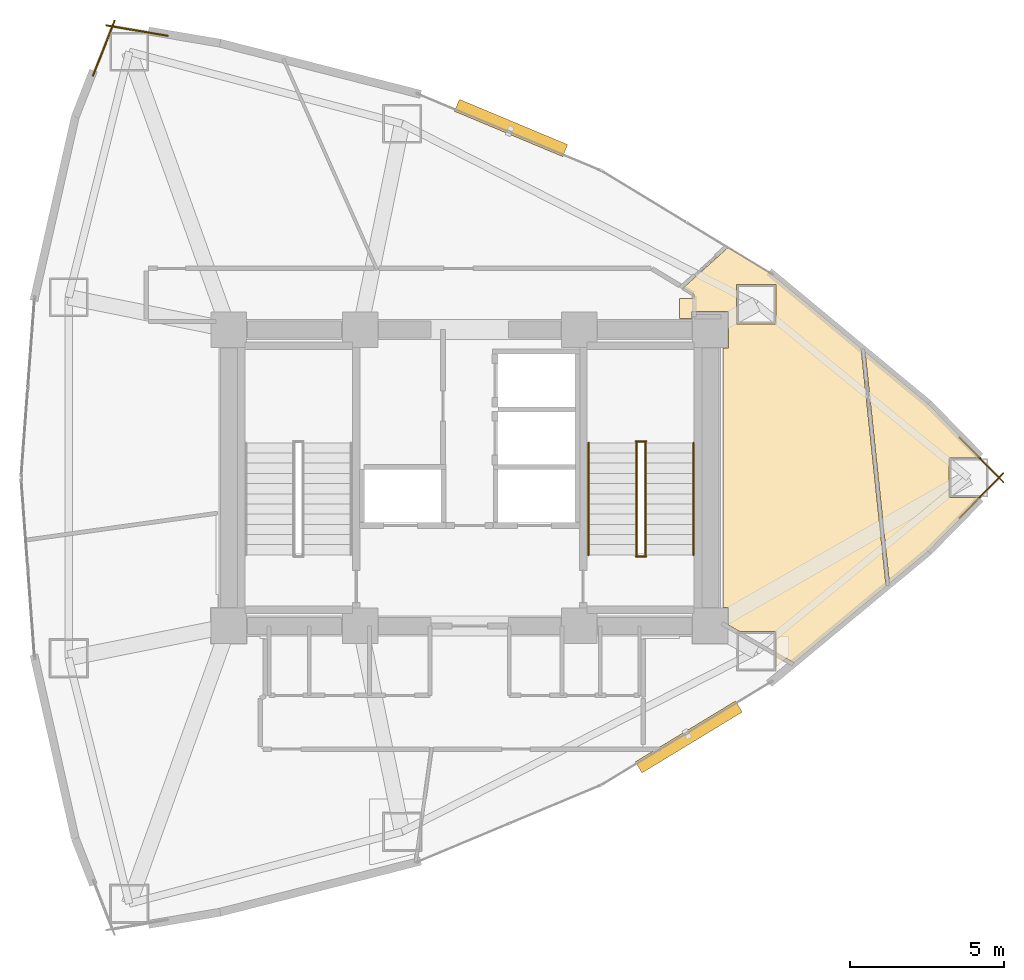
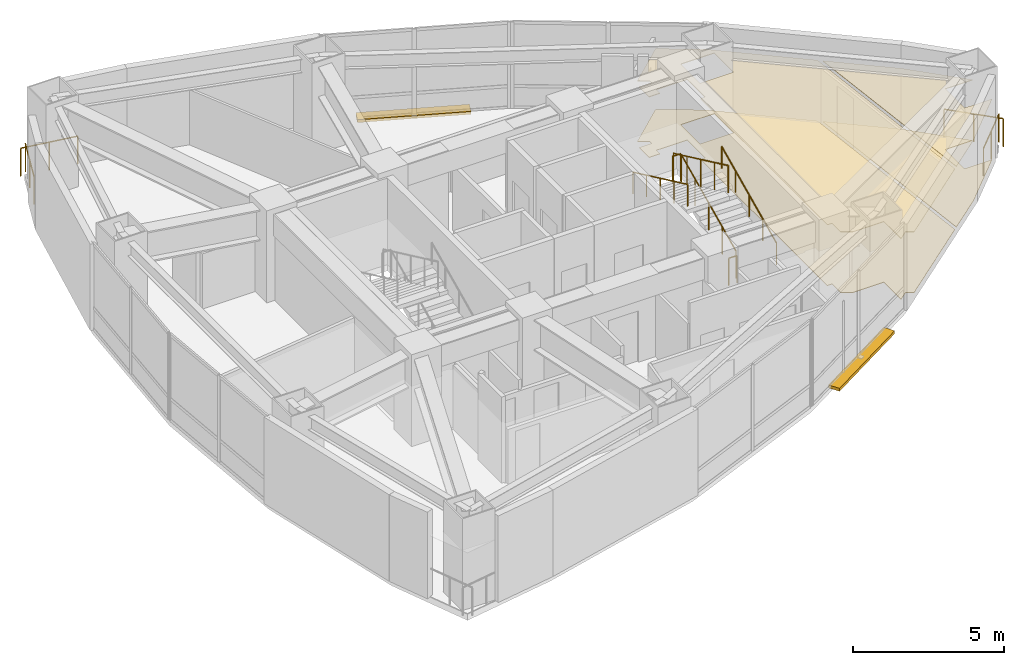
# One storey, part 17 of 17: 10 railings, 4 coverings, 2 shading devices.
"""IFC4 building model written with IfcOpenShell, lengths in metres."""

from ifc_helpers import new_model, si_unit, direction, frame, origin, origin_2d, place, context, subcontext, project, spatial, polyline, rectangle, circle, outline, extrude, material, layer, layer_set, type_object, element, save


model = new_model("IFC4")

# Units and contexts
model_context = context("Model", 3, precision=1e-05, world=origin(), true_north=direction((0.0, 1.0)))
body_context = subcontext(model_context, "Body", "Model", "MODEL_VIEW")
ifc_project = project(units=[si_unit("LENGTHUNIT", "METRE"), si_unit("AREAUNIT", "SQUARE_METRE"), si_unit("VOLUMEUNIT", "CUBIC_METRE"), si_unit("PLANEANGLEUNIT", "RADIAN"), si_unit("MASSUNIT", "GRAM", prefix="KILO")], contexts=[model_context])

# Site, building, storey
site_placement = place(None, origin())
site = spatial("IfcSite", under=ifc_project, at=site_placement, CompositionType="ELEMENT")
building_placement = place(site_placement, origin())
building = spatial("IfcBuilding", under=site, at=building_placement, Name="Menara Vayukalpa", CompositionType="ELEMENT")
storey_placement = place(building_placement, frame((0.0, 0.0, 133.739990234375)))
storey = spatial("IfcBuildingStorey", under=building, at=storey_placement, Name="L33", CompositionType="ELEMENT", Elevation=133.739990234375)

# Coverings
ifc_material_1 = material(Name="Mineral Fibre Acoustic Ceiling Tile", Category="masonry")
ifc_layer_1 = layer(ifc_material_1, 0.02490234375)
ifc_layer_set_1 = layer_set([ifc_layer_1], Name="Mineral Fibre Acoustic Ceiling Tile")
covering_type_1 = type_object("IfcCoveringType", Name="COV-CLG1", PredefinedType="CEILING", material=ifc_layer_set_1)
covering_1_placement = place(storey_placement, frame((0.0, 0.0, 2.449951171875)))
element("IfcCovering", 1, at=covering_1_placement, inside=storey, type_object=covering_type_1, Name="L33 Operations Support Office Acoustic Ceiling", PredefinedType="CEILING", context=body_context, shape_type="SweptSolid", body=[
    extrude(outline(polyline([(42.169677734375, 22.639892578125), (41.121826171875, 22.639892578125), (41.121826171875, 21.360107421875), (42.169677734375, 21.360107421875), (40.461181640625, 19.6201171875), (40.46044921875, 19.619384765625), (39.213134765625, 18.5849609375), (39.21240234375, 18.584228515625), (39.211669921875, 18.583740234375), (39.210693359375, 18.58349609375), (39.209716796875, 18.5830078125), (39.208740234375, 18.582763671875), (39.207763671875, 18.582763671875), (39.206787109375, 18.58251953125), (39.205810546875, 18.58251953125), (39.204833984375, 18.582763671875), (39.2041015625, 18.5830078125), (39.202880859375, 18.583251953125), (39.2021484375, 18.583740234375), (39.201416015625, 18.584228515625), (39.200439453125, 18.584716796875), (39.19970703125, 18.58544921875), (39.19921875, 18.586181640625), (39.198486328125, 18.5869140625), (39.197998046875, 18.587890625), (39.197509765625, 18.588623046875), (39.197265625, 18.589599609375), (39.197021484375, 18.590576171875), (39.197021484375, 18.591552734375), (38.412109375, 26.05712890625), (38.412109375, 26.05810546875), (38.412109375, 26.05908203125), (38.412353515625, 26.06005859375), (38.41259765625, 26.06103515625), (38.412841796875, 26.06201171875), (38.413330078125, 26.062744140625), (38.413818359375, 26.063720703125), (38.414306640625, 26.064453125), (38.4150390625, 26.065185546875), (38.415771484375, 26.06591796875), (38.41650390625, 26.06640625), (38.41748046875, 26.06689453125), (38.418212890625, 26.0673828125), (38.419189453125, 26.067626953125), (38.420166015625, 26.06787109375), (38.421142578125, 26.068115234375), (38.422119140625, 26.068115234375), (38.423095703125, 26.068115234375), (38.424072265625, 26.06787109375), (38.425048828125, 26.067626953125), (38.426025390625, 26.0673828125), (38.427001953125, 26.06689453125), (38.427734375, 26.06640625), (38.428466796875, 26.06591796875), (40.46044921875, 24.380615234375), (40.461181640625, 24.3798828125), (42.169677734375, 22.639892578125)])), origin(), (0.0, 0.0, 1.0), 0.025146484375),
])
covering_2_placement = place(storey_placement, frame((0.0, 0.0, 2.449951171875)))
element("IfcCovering", 2, at=covering_2_placement, inside=storey, type_object=covering_type_1, Name="L33 Corporate Training Classroom Acoustic Ceiling", PredefinedType="CEILING", context=body_context, shape_type="SweptSolid", body=[
    extrude(outline(polyline([(33.989990234375, 17.225341796875), (33.989990234375, 17.7900390625), (33.81005859375, 17.7900390625), (33.81005859375, 26.2099609375), (33.989990234375, 26.2099609375), (33.989990234375, 27.389892578125), (32.81005859375, 27.389892578125), (32.81005859375, 27.14990234375), (32.389892578125, 27.14990234375), (32.389892578125, 27.81005859375), (32.8701171875, 27.81005859375), (32.8701171875, 27.89111328125), (32.86962890625, 27.8984375), (32.868408203125, 27.905517578125), (32.86669921875, 27.912353515625), (32.8642578125, 27.919189453125), (32.861083984375, 27.925537109375), (32.857177734375, 27.931640625), (32.852783203125, 27.937255859375), (32.847900390625, 27.9423828125), (32.84228515625, 27.947021484375), (32.836181640625, 27.951171875), (32.52685546875, 28.138916015625), (32.526123046875, 28.139404296875), (32.525390625, 28.14013671875), (32.524658203125, 28.140869140625), (32.52392578125, 28.1416015625), (32.5234375, 28.142333984375), (32.52294921875, 28.143310546875), (32.522705078125, 28.144287109375), (32.5224609375, 28.14501953125), (32.522216796875, 28.14599609375), (32.522216796875, 28.147216796875), (32.522216796875, 28.14794921875), (32.522216796875, 28.14892578125), (32.5224609375, 28.14990234375), (32.522705078125, 28.15087890625), (32.523193359375, 28.15185546875), (32.5234375, 28.152587890625), (32.524169921875, 28.153564453125), (32.524658203125, 28.154296875), (32.525390625, 28.15478515625), (33.9609375, 29.447509765625), (33.9619140625, 29.4482421875), (33.962646484375, 29.44873046875), (33.96337890625, 29.44921875), (33.96435546875, 29.449462890625), (33.96533203125, 29.44970703125), (33.96630859375, 29.449951171875), (33.96728515625, 29.4501953125), (33.96826171875, 29.4501953125), (33.96923828125, 29.449951171875), (33.97021484375, 29.44970703125), (33.97119140625, 29.449462890625), (33.971923828125, 29.44921875), (33.972900390625, 29.448486328125), (35.379638671875, 28.593994140625), (35.380859375, 28.59326171875), (38.279296875, 26.189697265625), (38.27978515625, 26.18896484375), (38.280517578125, 26.18798828125), (38.28125, 26.187255859375), (38.28173828125, 26.186279296875), (38.281982421875, 26.185546875), (38.282470703125, 26.1845703125), (38.28271484375, 26.18359375), (38.28271484375, 26.1826171875), (38.28271484375, 26.181396484375), (38.28271484375, 26.180419921875), (38.282470703125, 26.179443359375), (38.281494140625, 26.176025390625), (38.28076171875, 26.170166015625), (38.280517578125, 26.164306640625), (38.281005859375, 26.158203125), (39.086181640625, 18.4970703125), (39.0869140625, 18.490966796875), (39.087646484375, 18.48828125), (39.087890625, 18.487548828125), (39.087890625, 18.486572265625), (39.087890625, 18.485595703125), (39.087890625, 18.484619140625), (39.087890625, 18.483642578125), (39.08740234375, 18.48291015625), (39.087158203125, 18.48193359375), (39.0869140625, 18.481201171875), (39.086181640625, 18.480224609375), (39.085693359375, 18.4794921875), (39.085205078125, 18.478759765625), (39.08447265625, 18.478271484375), (36.108154296875, 16.010009765625), (36.107421875, 16.00927734375), (36.1064453125, 16.0087890625), (36.10546875, 16.00830078125), (36.1044921875, 16.008056640625), (36.103515625, 16.0078125), (36.1025390625, 16.007568359375), (36.1015625, 16.007568359375), (36.1005859375, 16.0078125), (36.099609375, 16.0078125), (36.098388671875, 16.008056640625), (36.09765625, 16.008544921875), (36.0966796875, 16.0087890625), (35.853515625, 16.1494140625), (35.52685546875, 15.878662109375), (35.52685546875, 17.018310546875), (34.348388671875, 17.018310546875), (33.989990234375, 17.225341796875)]), holes=[polyline([(35.52685546875, 26.981689453125), (35.52685546875, 28.26171875), (34.246826171875, 28.26171875), (34.246826171875, 26.981689453125), (35.52685546875, 26.981689453125)])]), origin(), (0.0, 0.0, 1.0), 0.025146484375),
])
ifc_material_2 = material(Name="Porcelain Stoneware Floor Tile", Category="masonry")
ifc_layer_2 = layer(ifc_material_2, 0.02001953125)
ifc_layer_set_2 = layer_set([ifc_layer_2], Name="Porcelain Stoneware Floor Tile")
covering_type_2 = type_object("IfcCoveringType", Name="COV-FLR1", PredefinedType="FLOORING", material=ifc_layer_set_2)
covering_3_placement = place(storey_placement, origin())
element("IfcCovering", 3, at=covering_3_placement, inside=storey, type_object=covering_type_2, Name="L33 Operations Support Office Porcelain Flooring", PredefinedType="FLOORING", context=body_context, shape_type="SweptSolid", body=[
    extrude(outline(polyline([(42.169677734375, 22.639892578125), (41.121826171875, 22.639892578125), (41.121826171875, 21.360107421875), (42.169677734375, 21.360107421875), (40.461181640625, 19.6201171875), (40.46044921875, 19.619384765625), (39.213134765625, 18.5849609375), (39.21240234375, 18.584228515625), (39.211669921875, 18.583740234375), (39.210693359375, 18.58349609375), (39.209716796875, 18.5830078125), (39.208740234375, 18.582763671875), (39.207763671875, 18.582763671875), (39.206787109375, 18.58251953125), (39.205810546875, 18.58251953125), (39.204833984375, 18.582763671875), (39.2041015625, 18.5830078125), (39.202880859375, 18.583251953125), (39.2021484375, 18.583740234375), (39.201416015625, 18.584228515625), (39.200439453125, 18.584716796875), (39.19970703125, 18.58544921875), (39.19921875, 18.586181640625), (39.198486328125, 18.5869140625), (39.197998046875, 18.587890625), (39.197509765625, 18.588623046875), (39.197265625, 18.589599609375), (39.197021484375, 18.590576171875), (39.197021484375, 18.591552734375), (38.412109375, 26.05712890625), (38.412109375, 26.05810546875), (38.412109375, 26.05908203125), (38.412353515625, 26.06005859375), (38.41259765625, 26.06103515625), (38.412841796875, 26.06201171875), (38.413330078125, 26.062744140625), (38.413818359375, 26.063720703125), (38.414306640625, 26.064453125), (38.4150390625, 26.065185546875), (38.415771484375, 26.06591796875), (38.41650390625, 26.06640625), (38.41748046875, 26.06689453125), (38.418212890625, 26.0673828125), (38.419189453125, 26.067626953125), (38.420166015625, 26.06787109375), (38.421142578125, 26.068115234375), (38.422119140625, 26.068115234375), (38.423095703125, 26.068115234375), (38.424072265625, 26.06787109375), (38.425048828125, 26.067626953125), (38.426025390625, 26.0673828125), (38.427001953125, 26.06689453125), (38.427734375, 26.06640625), (38.428466796875, 26.06591796875), (40.46044921875, 24.380615234375), (40.461181640625, 24.3798828125), (42.169677734375, 22.639892578125)])), origin(), (0.0, 0.0, 1.0), 0.02001953125),
])
covering_4_placement = place(storey_placement, origin())
element("IfcCovering", 4, at=covering_4_placement, inside=storey, type_object=covering_type_2, Name="L33 Corporate Training Classroom Porcelain Flooring", PredefinedType="FLOORING", context=body_context, shape_type="SweptSolid", body=[
    extrude(outline(polyline([(33.989990234375, 17.225341796875), (33.989990234375, 17.7900390625), (33.81005859375, 17.7900390625), (33.81005859375, 26.2099609375), (33.989990234375, 26.2099609375), (33.989990234375, 27.389892578125), (32.81005859375, 27.389892578125), (32.81005859375, 27.14990234375), (32.389892578125, 27.14990234375), (32.389892578125, 27.81005859375), (32.8701171875, 27.81005859375), (32.8701171875, 27.89111328125), (32.86962890625, 27.8984375), (32.868408203125, 27.905517578125), (32.86669921875, 27.912353515625), (32.8642578125, 27.919189453125), (32.861083984375, 27.925537109375), (32.857177734375, 27.931640625), (32.852783203125, 27.937255859375), (32.847900390625, 27.9423828125), (32.84228515625, 27.947021484375), (32.836181640625, 27.951171875), (32.52685546875, 28.138916015625), (32.526123046875, 28.139404296875), (32.525390625, 28.14013671875), (32.524658203125, 28.140869140625), (32.52392578125, 28.1416015625), (32.5234375, 28.142333984375), (32.52294921875, 28.143310546875), (32.522705078125, 28.144287109375), (32.5224609375, 28.14501953125), (32.522216796875, 28.14599609375), (32.522216796875, 28.147216796875), (32.522216796875, 28.14794921875), (32.522216796875, 28.14892578125), (32.5224609375, 28.14990234375), (32.522705078125, 28.15087890625), (32.523193359375, 28.15185546875), (32.5234375, 28.152587890625), (32.524169921875, 28.153564453125), (32.524658203125, 28.154296875), (32.525390625, 28.15478515625), (33.9609375, 29.447509765625), (33.9619140625, 29.4482421875), (33.962646484375, 29.44873046875), (33.96337890625, 29.44921875), (33.96435546875, 29.449462890625), (33.96533203125, 29.44970703125), (33.96630859375, 29.449951171875), (33.96728515625, 29.4501953125), (33.96826171875, 29.4501953125), (33.96923828125, 29.449951171875), (33.97021484375, 29.44970703125), (33.97119140625, 29.449462890625), (33.971923828125, 29.44921875), (33.972900390625, 29.448486328125), (35.379638671875, 28.593994140625), (35.380859375, 28.59326171875), (38.279296875, 26.189697265625), (38.27978515625, 26.18896484375), (38.280517578125, 26.18798828125), (38.28125, 26.187255859375), (38.28173828125, 26.186279296875), (38.281982421875, 26.185546875), (38.282470703125, 26.1845703125), (38.28271484375, 26.18359375), (38.28271484375, 26.1826171875), (38.28271484375, 26.181396484375), (38.28271484375, 26.180419921875), (38.282470703125, 26.179443359375), (38.281494140625, 26.176025390625), (38.28076171875, 26.170166015625), (38.280517578125, 26.164306640625), (38.281005859375, 26.158203125), (39.086181640625, 18.4970703125), (39.0869140625, 18.490966796875), (39.087646484375, 18.48828125), (39.087890625, 18.487548828125), (39.087890625, 18.486572265625), (39.087890625, 18.485595703125), (39.087890625, 18.484619140625), (39.087890625, 18.483642578125), (39.08740234375, 18.48291015625), (39.087158203125, 18.48193359375), (39.0869140625, 18.481201171875), (39.086181640625, 18.480224609375), (39.085693359375, 18.4794921875), (39.085205078125, 18.478759765625), (39.08447265625, 18.478271484375), (36.108154296875, 16.010009765625), (36.107421875, 16.00927734375), (36.1064453125, 16.0087890625), (36.10546875, 16.00830078125), (36.1044921875, 16.008056640625), (36.103515625, 16.0078125), (36.1025390625, 16.007568359375), (36.1015625, 16.007568359375), (36.1005859375, 16.0078125), (36.099609375, 16.0078125), (36.098388671875, 16.008056640625), (36.09765625, 16.008544921875), (36.0966796875, 16.0087890625), (35.853515625, 16.1494140625), (35.52685546875, 15.878662109375), (35.52685546875, 17.018310546875), (34.348388671875, 17.018310546875), (33.989990234375, 17.225341796875)]), holes=[polyline([(35.52685546875, 26.981689453125), (35.52685546875, 28.26171875), (34.246826171875, 28.26171875), (34.246826171875, 26.981689453125), (35.52685546875, 26.981689453125)])]), origin(), (0.0, 0.0, 1.0), 0.02001953125),
])

# Railings
ifc_material_3 = material(Name="Laminated Glass and Stainless Steel 316 Guardrail", Category="steel")
railing_type_1 = type_object("IfcRailingType", Name="RLG-EXT115", PredefinedType="GUARDRAIL", material=ifc_material_3)
railing_1_placement = place(storey_placement, frame((41.458740234375, 20.693115234375, 0.0)))
element("IfcRailing", 5, at=railing_1_placement, inside=storey, type_object=railing_type_1, Name="L33 Column Corner Spandrel Guardrail 01-1", PredefinedType="GUARDRAIL", context=body_context, shape_type="SweptSolid", body=[
    extrude(circle(Radius=0.02392578125, at=origin_2d()), frame((0.0, 0.0, 1.1259765625), z_axis=(0.700555740742, 0.713597683652, 0.0), x_axis=(-0.713597683652, 0.700555740742, 0.0)), (0.0, 0.0, 1.0), 2.04052734375),
    extrude(circle(Radius=0.02099609375, at=origin_2d()), origin(), (0.0, 0.0, 1.0), 1.101806640625),
    extrude(circle(Radius=0.02099609375, at=origin_2d()), frame((0.71484375, 0.72802734375, 0.0)), (0.0, 0.0, 1.0), 1.101806640625),
    extrude(circle(Radius=0.02099609375, at=origin_2d()), frame((1.429443359375, 1.4560546875, 0.0)), (0.0, 0.0, 1.0), 1.101806640625),
])
railing_2_placement = place(storey_placement, frame((42.88818359375, 21.850830078125, 0.0)))
element("IfcRailing", 6, at=railing_2_placement, inside=storey, type_object=railing_type_1, Name="L33 Column Corner Spandrel Guardrail 02-1", PredefinedType="GUARDRAIL", context=body_context, shape_type="SweptSolid", body=[
    extrude(circle(Radius=0.02392578125, at=origin_2d()), frame((0.0, 0.0, 1.1259765625), z_axis=(-0.700555740742, 0.713597683652, 0.0), x_axis=(-0.713597683652, -0.700555740742, 0.0)), (0.0, 0.0, 1.0), 2.04052734375),
    extrude(circle(Radius=0.02099609375, at=origin_2d()), origin(), (0.0, 0.0, 1.0), 1.101806640625),
    extrude(circle(Radius=0.02099609375, at=origin_2d()), frame((-0.71484375, 0.72802734375, 0.0)), (0.0, 0.0, 1.0), 1.101806640625),
    extrude(circle(Radius=0.02099609375, at=origin_2d()), frame((-1.429443359375, 1.4560546875, 0.0)), (0.0, 0.0, 1.0), 1.101806640625),
])
railing_3_placement = place(storey_placement, frame((15.818359375, 36.315673828125, 0.0)))
element("IfcRailing", 7, at=railing_3_placement, inside=storey, type_object=railing_type_1, Name="L33 Column Corner Spandrel Guardrail 07-1", PredefinedType="GUARDRAIL", context=body_context, shape_type="SweptSolid", body=[
    extrude(circle(Radius=0.02392578125, at=origin_2d()), frame((0.0, 0.0, 1.1259765625), z_axis=(-0.985895977605, 0.16735925831, 0.0), x_axis=(-0.16735925831, -0.985895977605, 0.0)), (0.0, 0.0, 1.0), 2.01904296875),
    extrude(circle(Radius=0.02099609375, at=origin_2d()), origin(), (0.0, 0.0, 1.0), 1.101806640625),
    extrude(circle(Radius=0.02099609375, at=origin_2d()), frame((-0.9951171875, 0.1689453125, 0.0)), (0.0, 0.0, 1.0), 1.101806640625),
    extrude(circle(Radius=0.02099609375, at=origin_2d()), frame((-1.990478515625, 0.337890625, 0.0)), (0.0, 0.0, 1.0), 1.101806640625),
])
railing_4_placement = place(storey_placement, frame((14.09912109375, 36.806640625, 0.0)))
element("IfcRailing", 8, at=railing_4_placement, inside=storey, type_object=railing_type_1, Name="L33 Column Corner Spandrel Guardrail 08-1", PredefinedType="GUARDRAIL", context=body_context, shape_type="SweptSolid", body=[
    extrude(circle(Radius=0.02392578125, at=origin_2d()), frame((0.0, 0.0, 1.1259765625), z_axis=(-0.365573386764, -0.930782519652, 0.0), x_axis=(0.930782519652, -0.365573386764, 0.0)), (0.0, 0.0, 1.0), 1.91259765625),
    extrude(circle(Radius=0.02099609375, at=origin_2d()), origin(), (0.0, 0.0, 1.0), 1.101806640625),
    extrude(circle(Radius=0.02099609375, at=origin_2d()), frame((-0.349609375, -0.89013671875, 0.0)), (0.0, 0.0, 1.0), 1.101806640625),
    extrude(circle(Radius=0.02099609375, at=origin_2d()), frame((-0.69921875, -1.7802734375, 0.0)), (0.0, 0.0, 1.0), 1.101806640625),
])
ifc_material_4 = material(Name="Powder-Coated Galvanised Steel Guardrail", Category="steel")
railing_type_2 = type_object("IfcRailingType", Name="RLG-STG110", PredefinedType="GUARDRAIL", material=ifc_material_4)
railing_5_placement = place(storey_placement, frame((31.300048828125, 19.5, 0.155029296875)))
element("IfcRailing", 9, at=railing_5_placement, inside=storey, type_object=railing_type_2, Name="L33 ST-2 stair guard 1", PredefinedType="GUARDRAIL", context=body_context, shape_type="SweptSolid", body=[
    extrude(circle(Radius=0.02392578125, at=origin_2d()), frame((0.0, 0.0, 1.09619140625), z_axis=(0.0, 0.90511648382, 0.425163675209), x_axis=(-1.0, 0.0, 0.0)), (0.0, 0.0, 1.0), 4.010498046875),
    extrude(circle(Radius=0.02099609375, at=origin_2d()), origin(), (0.0, 0.0, 1.0), 1.072021484375),
    extrude(circle(Radius=0.02099609375, at=origin_2d()), frame((0.0, 0.907470703125, 0.42626953125)), (0.0, 0.0, 1.0), 1.072021484375),
    extrude(circle(Radius=0.02099609375, at=origin_2d()), frame((0.0, 1.81494140625, 0.8525390625)), (0.0, 0.0, 1.0), 1.072021484375),
    extrude(circle(Radius=0.02099609375, at=origin_2d()), frame((0.0, 2.722412109375, 1.27880859375)), (0.0, 0.0, 1.0), 1.072021484375),
    extrude(circle(Radius=0.02099609375, at=origin_2d()), frame((0.0, 3.6298828125, 1.705078125)), (0.0, 0.0, 1.0), 1.072021484375),
])
railing_6_placement = place(storey_placement, frame((31.31005859375, 23.179931640625, 1.860107421875)))
element("IfcRailing", 10, at=railing_6_placement, inside=storey, type_object=railing_type_2, Name="L33 ST-2 stair guard 2", PredefinedType="GUARDRAIL", context=body_context, shape_type="SweptSolid", body=[
    extrude(circle(Radius=0.02392578125, at=origin_2d()), frame((0.0, 0.0, 1.09619140625), z_axis=(-1.0, 0.0, 0.0), x_axis=(0.0, -1.0, 0.0)), (0.0, 0.0, 1.0), 0.320068359375),
    extrude(circle(Radius=0.02099609375, at=origin_2d()), origin(), (0.0, 0.0, 1.0), 1.072021484375),
    extrude(circle(Radius=0.02099609375, at=origin_2d()), frame((-0.320068359375, 0.0, 0.0)), (0.0, 0.0, 1.0), 1.072021484375),
])
railing_7_placement = place(storey_placement, frame((31.0, 23.1298828125, 2.014892578125)))
element("IfcRailing", 11, at=railing_7_placement, inside=storey, type_object=railing_type_2, Name="L33 ST-2 stair guard 3", PredefinedType="GUARDRAIL", context=body_context, shape_type="SweptSolid", body=[
    extrude(circle(Radius=0.02392578125, at=origin_2d()), frame((0.0, 0.0, 1.09619140625), z_axis=(0.0, -0.90511648382, 0.425163675209), x_axis=(1.0, 0.0, 0.0)), (0.0, 0.0, 1.0), 4.010498046875),
    extrude(circle(Radius=0.02099609375, at=origin_2d()), origin(), (0.0, 0.0, 1.0), 1.072021484375),
    extrude(circle(Radius=0.02099609375, at=origin_2d()), frame((0.0, -0.907470703125, 0.42626953125)), (0.0, 0.0, 1.0), 1.072021484375),
    extrude(circle(Radius=0.02099609375, at=origin_2d()), frame((0.0, -1.81494140625, 0.8525390625)), (0.0, 0.0, 1.0), 1.072021484375),
    extrude(circle(Radius=0.02099609375, at=origin_2d()), frame((0.0, -2.722412109375, 1.27880859375)), (0.0, 0.0, 1.0), 1.072021484375),
    extrude(circle(Radius=0.02099609375, at=origin_2d()), frame((0.0, -3.6298828125, 1.705078125)), (0.0, 0.0, 1.0), 1.072021484375),
])
railing_8_placement = place(storey_placement, frame((31.31005859375, 19.449951171875, 0.0)))
element("IfcRailing", 12, at=railing_8_placement, inside=storey, type_object=railing_type_2, Name="L33 ST-2 stair guard 4", PredefinedType="GUARDRAIL", context=body_context, shape_type="SweptSolid", body=[
    extrude(circle(Radius=0.02392578125, at=origin_2d()), frame((0.0, 0.0, 1.09619140625), z_axis=(-1.0, 0.0, 0.0), x_axis=(0.0, -1.0, 0.0)), (0.0, 0.0, 1.0), 0.320068359375),
    extrude(circle(Radius=0.02099609375, at=origin_2d()), origin(), (0.0, 0.0, 1.0), 1.072021484375),
    extrude(circle(Radius=0.02099609375, at=origin_2d()), frame((-0.320068359375, 0.0, 0.0)), (0.0, 0.0, 1.0), 1.072021484375),
])
ifc_material_5 = material(Name="Stainless Steel 316 Tubular Handrail", Category="steel")
railing_type_3 = type_object("IfcRailingType", Name="RLG-STH090", PredefinedType="HANDRAIL", material=ifc_material_5)
railing_9_placement = place(storey_placement, frame((32.85009765625, 19.5, 0.155029296875)))
element("IfcRailing", 13, at=railing_9_placement, inside=storey, type_object=railing_type_3, Name="L33 ST-2 stair handrail 1", PredefinedType="HANDRAIL", context=body_context, shape_type="SweptSolid", body=[
    extrude(circle(Radius=0.02392578125, at=origin_2d()), frame((0.0, 0.0, 0.8759765625), z_axis=(0.0, 0.90511648382, 0.425163675209), x_axis=(-1.0, 0.0, 0.0)), (0.0, 0.0, 1.0), 4.010498046875),
    extrude(circle(Radius=0.02099609375, at=origin_2d()), origin(), (0.0, 0.0, 1.0), 0.851806640625),
    extrude(circle(Radius=0.02099609375, at=origin_2d()), frame((0.0, 0.907470703125, 0.42626953125)), (0.0, 0.0, 1.0), 0.851806640625),
    extrude(circle(Radius=0.02099609375, at=origin_2d()), frame((0.0, 1.81494140625, 0.8525390625)), (0.0, 0.0, 1.0), 0.851806640625),
    extrude(circle(Radius=0.02099609375, at=origin_2d()), frame((0.0, 2.722412109375, 1.27880859375)), (0.0, 0.0, 1.0), 0.851806640625),
    extrude(circle(Radius=0.02099609375, at=origin_2d()), frame((0.0, 3.6298828125, 1.705078125)), (0.0, 0.0, 1.0), 0.851806640625),
])
railing_10_placement = place(storey_placement, frame((29.449951171875, 23.1298828125, 2.014892578125)))
element("IfcRailing", 14, at=railing_10_placement, inside=storey, type_object=railing_type_3, Name="L33 ST-2 stair handrail 2", PredefinedType="HANDRAIL", context=body_context, shape_type="SweptSolid", body=[
    extrude(circle(Radius=0.02392578125, at=origin_2d()), frame((0.0, 0.0, 0.8759765625), z_axis=(0.0, -0.90511648382, 0.425163675209), x_axis=(1.0, 0.0, 0.0)), (0.0, 0.0, 1.0), 4.010498046875),
    extrude(circle(Radius=0.02099609375, at=origin_2d()), origin(), (0.0, 0.0, 1.0), 0.851806640625),
    extrude(circle(Radius=0.02099609375, at=origin_2d()), frame((0.0, -0.907470703125, 0.42626953125)), (0.0, 0.0, 1.0), 0.851806640625),
    extrude(circle(Radius=0.02099609375, at=origin_2d()), frame((0.0, -1.81494140625, 0.8525390625)), (0.0, 0.0, 1.0), 0.851806640625),
    extrude(circle(Radius=0.02099609375, at=origin_2d()), frame((0.0, -2.722412109375, 1.27880859375)), (0.0, 0.0, 1.0), 0.851806640625),
    extrude(circle(Radius=0.02099609375, at=origin_2d()), frame((0.0, -3.6298828125, 1.705078125)), (0.0, 0.0, 1.0), 0.851806640625),
])

# Shading devices
ifc_material_6 = material(Name="Glazed Terracotta Ceramic Baguette Extrusion", Category="masonry")
ifc_layer_3 = layer(ifc_material_6, 0.1201171875)
ifc_layer_set_3 = layer_set([ifc_layer_3], Name="Glazed Terracotta Ceramic Baguette Extrusion")
shading_device_type = type_object("IfcShadingDeviceType", Name="SHD-SS1", PredefinedType="USERDEFINED", material=ifc_layer_set_3)
for number, where, z_axis, x_axis, name in (
    (15, (26.940673828125, 33.33056640625, -0.10009765625), (0.0, 0.0, 1.0), (-0.922544824647, 0.385889940938, 0.0), "L33 Horizontal Terracotta Sunshade Band 05"),
    (16, (32.698486328125, 13.601806640625, -0.10009765625), (0.0, 0.0, 1.0), (0.85466730962, 0.519176068272, 0.0), "L33 Horizontal Terracotta Sunshade Band 17"),
):
    element("IfcShadingDevice", number, at=place(storey_placement, frame(where, z_axis=z_axis, x_axis=x_axis)), inside=storey, type_object=shading_device_type, Name=name, ObjectType="SUNSHADE", PredefinedType="USERDEFINED", context=body_context, shape_type="SweptSolid", body=[
        extrude(rectangle(XDim=3.800048828125, YDim=0.419921875, at=origin_2d()), origin(), (0.0, 0.0, 1.0), 0.1201171875),
    ])

save(model, "model.ifc")
